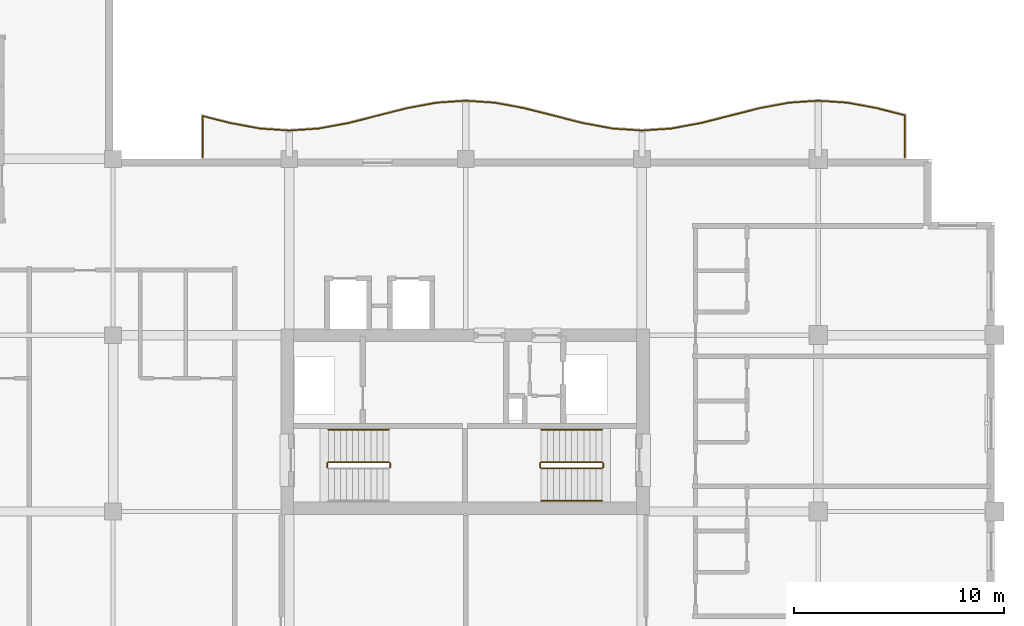
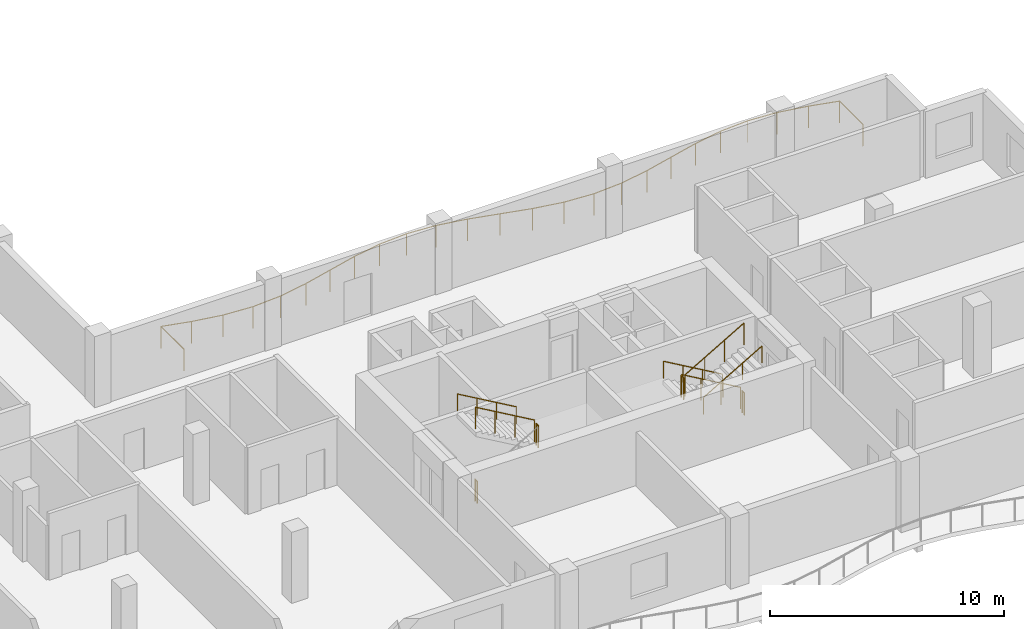
# One storey, part 15 of 17: 11 railings.
"""IFC4 building model written with IfcOpenShell, lengths in metres."""

from ifc_helpers import new_model, si_unit, direction, frame, origin, origin_2d, place, context, subcontext, project, spatial, circle, extrude, material, type_object, element, save


model = new_model("IFC4")

# Units and contexts
model_context = context("Model", 3, precision=1e-05, world=origin(), true_north=direction((0.0, 1.0)))
body_context = subcontext(model_context, "Body", "Model", "MODEL_VIEW")
ifc_project = project(units=[si_unit("LENGTHUNIT", "METRE"), si_unit("AREAUNIT", "SQUARE_METRE"), si_unit("VOLUMEUNIT", "CUBIC_METRE"), si_unit("PLANEANGLEUNIT", "RADIAN"), si_unit("MASSUNIT", "GRAM", prefix="KILO")], contexts=[model_context])

# Site, building, storey
site_placement = place(None, origin())
site = spatial("IfcSite", under=ifc_project, at=site_placement, CompositionType="ELEMENT")
building_placement = place(site_placement, origin())
building = spatial("IfcBuilding", under=site, at=building_placement, Name="Koriwani Terraces Tower", CompositionType="ELEMENT")
storey_placement = place(building_placement, frame((0.0, 0.0, 237.89990234375)))
storey = spatial("IfcBuildingStorey", under=building, at=storey_placement, Name="L58", CompositionType="ELEMENT", Elevation=237.89990234375)

# Railings
ifc_material = material(Name="Steel ASTM A572 Grade 50", Category="steel")
railing_type_1 = type_object("IfcRailingType", Name="GUARD_BALUSTRADE_1150", PredefinedType="BALUSTRADE", material=ifc_material)
railing_1_placement = place(storey_placement, frame((71.320068359375, 33.679931640625, 0.0)))
element("IfcRailing", 1, at=railing_1_placement, inside=storey, type_object=railing_type_1, Name="L58 Balcony Perimeter Safety Balustrade (NE)", PredefinedType="BALUSTRADE", context=body_context, shape_type="SweptSolid", body=[
    extrude(circle(Radius=0.02392578125, at=origin_2d()), frame((0.0, 0.0, 1.1259765625), z_axis=(0.0, 1.0, 0.0), x_axis=(-1.0, 0.0, 0.0)), (0.0, 0.0, 1.0), 1.997802734375),
    extrude(circle(Radius=0.02392578125, at=origin_2d()), frame((0.0, 1.997802734375, 1.1259765625), z_axis=(-0.969314490181, 0.245823959624, 0.0), x_axis=(-0.245823959624, -0.969314490181, 0.0)), (0.0, 0.0, 1.0), 1.37939453125),
    extrude(circle(Radius=0.02392578125, at=origin_2d()), frame((-1.337158203125, 2.3369140625, 1.1259765625), z_axis=(-0.98320420208, 0.182508895706, 0.0), x_axis=(-0.182508895706, -0.98320420208, 0.0)), (0.0, 0.0, 1.0), 1.41650390625),
    extrude(circle(Radius=0.02392578125, at=origin_2d()), frame((-2.72998046875, 2.595458984375, 1.1259765625), z_axis=(-0.997698263815, 0.067809839848, 0.0), x_axis=(-0.067809839848, -0.997698263815, 0.0)), (0.0, 0.0, 1.0), 1.393310546875),
    extrude(circle(Radius=0.02392578125, at=origin_2d()), frame((-4.1201171875, 2.68994140625, 1.1259765625), z_axis=(-0.997697457915, -0.067821696155, 0.0), x_axis=(0.067821696155, -0.997697457915, 0.0)), (0.0, 0.0, 1.0), 1.39306640625),
    extrude(circle(Radius=0.02392578125, at=origin_2d()), frame((-5.510009765625, 2.595458984375, 1.1259765625), z_axis=(-0.98320420208, -0.182508895706, 0.0), x_axis=(0.182508895706, -0.98320420208, 0.0)), (0.0, 0.0, 1.0), 1.41650390625),
    extrude(circle(Radius=0.02392578125, at=origin_2d()), frame((-6.90283203125, 2.3369140625, 1.1259765625), z_axis=(-0.969326714928, -0.245775750895, 0.0), x_axis=(0.245775750895, -0.969326714928, 0.0)), (0.0, 0.0, 1.0), 2.888671875),
    extrude(circle(Radius=0.02392578125, at=origin_2d()), frame((-9.702880859375, 1.626953125, 1.1259765625), z_axis=(-0.983233329212, -0.182351913416, 0.0), x_axis=(0.182351913416, -0.983233329212, 0.0)), (0.0, 0.0, 1.0), 1.43115234375),
    extrude(circle(Radius=0.02392578125, at=origin_2d()), frame((-11.110107421875, 1.365966796875, 1.1259765625), z_axis=(-0.997704165633, -0.067722949425, 0.0), x_axis=(0.067722949425, -0.997704165633, 0.0)), (0.0, 0.0, 1.0), 1.4130859375),
    extrude(circle(Radius=0.02392578125, at=origin_2d()), frame((-12.52001953125, 1.270263671875, 1.1259765625), z_axis=(-0.997704957786, 0.067711278299, 0.0), x_axis=(-0.067711278299, -0.997704957786, 0.0)), (0.0, 0.0, 1.0), 1.413330078125),
    extrude(circle(Radius=0.02392578125, at=origin_2d()), frame((-13.93017578125, 1.365966796875, 1.1259765625), z_axis=(-0.983227655562, 0.182382502828, 0.0), x_axis=(-0.182382502828, -0.983227655562, 0.0)), (0.0, 0.0, 1.0), 1.430908203125),
    extrude(circle(Radius=0.02392578125, at=origin_2d()), frame((-15.337158203125, 1.626953125, 1.1259765625), z_axis=(-0.969326714928, 0.245775750895, 0.0), x_axis=(-0.245775750895, -0.969326714928, 0.0)), (0.0, 0.0, 1.0), 2.888671875),
    extrude(circle(Radius=0.02392578125, at=origin_2d()), frame((-18.13720703125, 2.3369140625, 1.1259765625), z_axis=(-0.98320420208, 0.182508895706, 0.0), x_axis=(-0.182508895706, -0.98320420208, 0.0)), (0.0, 0.0, 1.0), 1.41650390625),
    extrude(circle(Radius=0.02392578125, at=origin_2d()), frame((-19.530029296875, 2.595458984375, 1.1259765625), z_axis=(-0.997698263815, 0.067809839848, 0.0), x_axis=(-0.067809839848, -0.997698263815, 0.0)), (0.0, 0.0, 1.0), 1.393310546875),
    extrude(circle(Radius=0.02392578125, at=origin_2d()), frame((-20.920166015625, 2.68994140625, 1.1259765625), z_axis=(-0.997697457915, -0.067821696155, 0.0), x_axis=(0.067821696155, -0.997697457915, 0.0)), (0.0, 0.0, 1.0), 1.39306640625),
    extrude(circle(Radius=0.02392578125, at=origin_2d()), frame((-22.31005859375, 2.595458984375, 1.1259765625), z_axis=(-0.98320420208, -0.182508895706, 0.0), x_axis=(0.182508895706, -0.98320420208, 0.0)), (0.0, 0.0, 1.0), 1.41650390625),
    extrude(circle(Radius=0.02392578125, at=origin_2d()), frame((-23.702880859375, 2.3369140625, 1.1259765625), z_axis=(-0.969326714928, -0.245775750895, 0.0), x_axis=(0.245775750895, -0.969326714928, 0.0)), (0.0, 0.0, 1.0), 2.888671875),
    extrude(circle(Radius=0.02392578125, at=origin_2d()), frame((-26.5029296875, 1.626953125, 1.1259765625), z_axis=(-0.983233329212, -0.182351913416, 0.0), x_axis=(0.182351913416, -0.983233329212, 0.0)), (0.0, 0.0, 1.0), 1.43115234375),
    extrude(circle(Radius=0.02392578125, at=origin_2d()), frame((-27.91015625, 1.365966796875, 1.1259765625), z_axis=(-0.997704165633, -0.067722949425, 0.0), x_axis=(0.067722949425, -0.997704165633, 0.0)), (0.0, 0.0, 1.0), 1.4130859375),
    extrude(circle(Radius=0.02392578125, at=origin_2d()), frame((-29.320068359375, 1.270263671875, 1.1259765625), z_axis=(-0.997704165633, 0.067722949425, 0.0), x_axis=(-0.067722949425, -0.997704165633, 0.0)), (0.0, 0.0, 1.0), 1.4130859375),
    extrude(circle(Radius=0.02392578125, at=origin_2d()), frame((-30.72998046875, 1.365966796875, 1.1259765625), z_axis=(-0.983233329212, 0.182351913416, 0.0), x_axis=(-0.182351913416, -0.983233329212, 0.0)), (0.0, 0.0, 1.0), 1.43115234375),
    extrude(circle(Radius=0.02392578125, at=origin_2d()), frame((-32.13720703125, 1.626953125, 1.1259765625), z_axis=(-0.969335916043, 0.245739459323, 0.0), x_axis=(-0.245739459323, -0.969335916043, 0.0)), (0.0, 0.0, 1.0), 1.34423828125),
    extrude(circle(Radius=0.02392578125, at=origin_2d()), frame((-33.440185546875, 1.957275390625, 1.1259765625), z_axis=(0.0, -1.0, 0.0), x_axis=(1.0, 0.0, 0.0)), (0.0, 0.0, 1.0), 1.957275390625),
    extrude(circle(Radius=0.02099609375, at=origin_2d()), origin(), (0.0, 0.0, 1.0), 1.101806640625),
    extrude(circle(Radius=0.02099609375, at=origin_2d()), frame((0.0, 1.997802734375, 0.0)), (0.0, 0.0, 1.0), 1.101806640625),
    extrude(circle(Radius=0.02099609375, at=origin_2d()), frame((-1.337158203125, 2.3369140625, 0.0)), (0.0, 0.0, 1.0), 1.101806640625),
    extrude(circle(Radius=0.02099609375, at=origin_2d()), frame((-2.72998046875, 2.595458984375, 0.0)), (0.0, 0.0, 1.0), 1.101806640625),
    extrude(circle(Radius=0.02099609375, at=origin_2d()), frame((-4.1201171875, 2.68994140625, 0.0)), (0.0, 0.0, 1.0), 1.101806640625),
    extrude(circle(Radius=0.02099609375, at=origin_2d()), frame((-5.510009765625, 2.595458984375, 0.0)), (0.0, 0.0, 1.0), 1.101806640625),
    extrude(circle(Radius=0.02099609375, at=origin_2d()), frame((-6.90283203125, 2.3369140625, 0.0)), (0.0, 0.0, 1.0), 1.101806640625),
    extrude(circle(Radius=0.02099609375, at=origin_2d()), frame((-8.302734375, 1.98193359375, 0.0)), (0.0, 0.0, 1.0), 1.101806640625),
    extrude(circle(Radius=0.02099609375, at=origin_2d()), frame((-9.702880859375, 1.626953125, 0.0)), (0.0, 0.0, 1.0), 1.101806640625),
    extrude(circle(Radius=0.02099609375, at=origin_2d()), frame((-11.110107421875, 1.365966796875, 0.0)), (0.0, 0.0, 1.0), 1.101806640625),
    extrude(circle(Radius=0.02099609375, at=origin_2d()), frame((-12.52001953125, 1.270263671875, 0.0)), (0.0, 0.0, 1.0), 1.101806640625),
    extrude(circle(Radius=0.02099609375, at=origin_2d()), frame((-13.93017578125, 1.365966796875, 0.0)), (0.0, 0.0, 1.0), 1.101806640625),
    extrude(circle(Radius=0.02099609375, at=origin_2d()), frame((-15.337158203125, 1.626953125, 0.0)), (0.0, 0.0, 1.0), 1.101806640625),
    extrude(circle(Radius=0.02099609375, at=origin_2d()), frame((-16.7373046875, 1.98193359375, 0.0)), (0.0, 0.0, 1.0), 1.101806640625),
    extrude(circle(Radius=0.02099609375, at=origin_2d()), frame((-18.13720703125, 2.3369140625, 0.0)), (0.0, 0.0, 1.0), 1.101806640625),
    extrude(circle(Radius=0.02099609375, at=origin_2d()), frame((-19.530029296875, 2.595458984375, 0.0)), (0.0, 0.0, 1.0), 1.101806640625),
    extrude(circle(Radius=0.02099609375, at=origin_2d()), frame((-20.920166015625, 2.68994140625, 0.0)), (0.0, 0.0, 1.0), 1.101806640625),
    extrude(circle(Radius=0.02099609375, at=origin_2d()), frame((-22.31005859375, 2.595458984375, 0.0)), (0.0, 0.0, 1.0), 1.101806640625),
    extrude(circle(Radius=0.02099609375, at=origin_2d()), frame((-23.702880859375, 2.3369140625, 0.0)), (0.0, 0.0, 1.0), 1.101806640625),
    extrude(circle(Radius=0.02099609375, at=origin_2d()), frame((-25.10302734375, 1.98193359375, 0.0)), (0.0, 0.0, 1.0), 1.101806640625),
    extrude(circle(Radius=0.02099609375, at=origin_2d()), frame((-26.5029296875, 1.626953125, 0.0)), (0.0, 0.0, 1.0), 1.101806640625),
    extrude(circle(Radius=0.02099609375, at=origin_2d()), frame((-27.91015625, 1.365966796875, 0.0)), (0.0, 0.0, 1.0), 1.101806640625),
    extrude(circle(Radius=0.02099609375, at=origin_2d()), frame((-29.320068359375, 1.270263671875, 0.0)), (0.0, 0.0, 1.0), 1.101806640625),
    extrude(circle(Radius=0.02099609375, at=origin_2d()), frame((-30.72998046875, 1.365966796875, 0.0)), (0.0, 0.0, 1.0), 1.101806640625),
    extrude(circle(Radius=0.02099609375, at=origin_2d()), frame((-32.13720703125, 1.626953125, 0.0)), (0.0, 0.0, 1.0), 1.101806640625),
    extrude(circle(Radius=0.02099609375, at=origin_2d()), frame((-33.440185546875, 1.957275390625, 0.0)), (0.0, 0.0, 1.0), 1.101806640625),
    extrude(circle(Radius=0.02099609375, at=origin_2d()), frame((-33.440185546875, 0.0, 0.0)), (0.0, 0.0, 1.0), 1.101806640625),
])
railing_type_2 = type_object("IfcRailingType", Name="GUARD_STAIR_WELL_1120", PredefinedType="GUARDRAIL", material=ifc_material)
railing_2_placement = place(storey_placement, frame((46.800048828125, 18.89990234375, 1.85009765625)))
element("IfcRailing", 2, at=railing_2_placement, inside=storey, type_object=railing_type_2, Name="L58 ST-E1 stair guard 2", PredefinedType="GUARDRAIL", context=body_context, shape_type="SweptSolid", body=[
    extrude(circle(Radius=0.02392578125, at=origin_2d()), frame((0.0, 0.0, 1.1259765625), z_axis=(0.0, 1.0, 0.0), x_axis=(-1.0, 0.0, 0.0)), (0.0, 0.0, 1.0), 0.2001953125),
    extrude(circle(Radius=0.02099609375, at=origin_2d()), origin(), (0.0, 0.0, 1.0), 1.101806640625),
    extrude(circle(Radius=0.02099609375, at=origin_2d()), frame((0.0, 0.2001953125, 0.0)), (0.0, 0.0, 1.0), 1.101806640625),
])
railing_3_placement = place(storey_placement, frame((46.75, 19.14990234375, 2.018310546875)))
element("IfcRailing", 3, at=railing_3_placement, inside=storey, type_object=railing_type_2, Name="L58 ST-E1 stair guard 3", PredefinedType="GUARDRAIL", context=body_context, shape_type="SweptSolid", body=[
    extrude(circle(Radius=0.02392578125, at=origin_2d()), frame((0.0, 0.0, 1.1259765625), z_axis=(-0.865038774852, 0.0, 0.501705010941), x_axis=(0.0, -1.0, 0.0)), (0.0, 0.0, 1.0), 3.352294921875),
    extrude(circle(Radius=0.02099609375, at=origin_2d()), origin(), (0.0, 0.0, 1.0), 1.101806640625),
    extrude(circle(Radius=0.02099609375, at=origin_2d()), frame((-0.966552734375, 0.0, 0.560546875)), (0.0, 0.0, 1.0), 1.101806640625),
    extrude(circle(Radius=0.02099609375, at=origin_2d()), frame((-1.933349609375, 0.0, 1.121337890625)), (0.0, 0.0, 1.0), 1.101806640625),
    extrude(circle(Radius=0.02099609375, at=origin_2d()), frame((-2.89990234375, 0.0, 1.681884765625)), (0.0, 0.0, 1.0), 1.101806640625),
])
railing_4_placement = place(storey_placement, frame((43.800048828125, 18.89990234375, 0.0)))
element("IfcRailing", 4, at=railing_4_placement, inside=storey, type_object=railing_type_2, Name="L58 ST-E1 stair guard 4", PredefinedType="GUARDRAIL", context=body_context, shape_type="SweptSolid", body=[
    extrude(circle(Radius=0.02392578125, at=origin_2d()), frame((0.0, 0.0, 1.1259765625), z_axis=(0.0, 1.0, 0.0), x_axis=(-1.0, 0.0, 0.0)), (0.0, 0.0, 1.0), 0.2001953125),
    extrude(circle(Radius=0.02099609375, at=origin_2d()), origin(), (0.0, 0.0, 1.0), 1.101806640625),
    extrude(circle(Radius=0.02099609375, at=origin_2d()), frame((0.0, 0.2001953125, 0.0)), (0.0, 0.0, 1.0), 1.101806640625),
])
railing_5_placement = place(storey_placement, frame((56.89990234375, 19.14990234375, 0.168212890625)))
element("IfcRailing", 5, at=railing_5_placement, inside=storey, type_object=railing_type_2, Name="L58 ST-E2 stair guard 1", PredefinedType="GUARDRAIL", context=body_context, shape_type="SweptSolid", body=[
    extrude(circle(Radius=0.02392578125, at=origin_2d()), frame((0.0, 0.0, 1.1259765625), z_axis=(-0.865038774852, 0.0, 0.501705010941), x_axis=(0.0, -1.0, 0.0)), (0.0, 0.0, 1.0), 3.352294921875),
    extrude(circle(Radius=0.02099609375, at=origin_2d()), origin(), (0.0, 0.0, 1.0), 1.101806640625),
    extrude(circle(Radius=0.02099609375, at=origin_2d()), frame((-0.966552734375, 0.0, 0.560546875)), (0.0, 0.0, 1.0), 1.101806640625),
    extrude(circle(Radius=0.02099609375, at=origin_2d()), frame((-1.933349609375, 0.0, 1.121337890625)), (0.0, 0.0, 1.0), 1.101806640625),
    extrude(circle(Radius=0.02099609375, at=origin_2d()), frame((-2.89990234375, 0.0, 1.681884765625)), (0.0, 0.0, 1.0), 1.101806640625),
])
railing_6_placement = place(storey_placement, frame((53.949951171875, 19.10009765625, 1.85009765625)))
element("IfcRailing", 6, at=railing_6_placement, inside=storey, type_object=railing_type_2, Name="L58 ST-E2 stair guard 2", PredefinedType="GUARDRAIL", context=body_context, shape_type="SweptSolid", body=[
    extrude(circle(Radius=0.02392578125, at=origin_2d()), frame((0.0, 0.0, 1.1259765625), z_axis=(0.0, -1.0, 0.0), x_axis=(1.0, 0.0, 0.0)), (0.0, 0.0, 1.0), 0.2001953125),
    extrude(circle(Radius=0.02099609375, at=origin_2d()), origin(), (0.0, 0.0, 1.0), 1.101806640625),
    extrude(circle(Radius=0.02099609375, at=origin_2d()), frame((0.0, -0.2001953125, 0.0)), (0.0, 0.0, 1.0), 1.101806640625),
])
railing_7_placement = place(storey_placement, frame((54.0, 18.85009765625, 2.018310546875)))
element("IfcRailing", 7, at=railing_7_placement, inside=storey, type_object=railing_type_2, Name="L58 ST-E2 stair guard 3", PredefinedType="GUARDRAIL", context=body_context, shape_type="SweptSolid", body=[
    extrude(circle(Radius=0.02392578125, at=origin_2d()), frame((0.0, 0.0, 1.1259765625), z_axis=(0.865038774852, 0.0, 0.501705010941), x_axis=(0.0, 1.0, 0.0)), (0.0, 0.0, 1.0), 3.352294921875),
    extrude(circle(Radius=0.02099609375, at=origin_2d()), origin(), (0.0, 0.0, 1.0), 1.101806640625),
    extrude(circle(Radius=0.02099609375, at=origin_2d()), frame((0.966552734375, 0.0, 0.560546875)), (0.0, 0.0, 1.0), 1.101806640625),
    extrude(circle(Radius=0.02099609375, at=origin_2d()), frame((1.933349609375, 0.0, 1.121337890625)), (0.0, 0.0, 1.0), 1.101806640625),
    extrude(circle(Radius=0.02099609375, at=origin_2d()), frame((2.89990234375, 0.0, 1.681884765625)), (0.0, 0.0, 1.0), 1.101806640625),
])
railing_8_placement = place(storey_placement, frame((56.949951171875, 19.10009765625, 0.0)))
element("IfcRailing", 8, at=railing_8_placement, inside=storey, type_object=railing_type_2, Name="L58 ST-E2 stair guard 4", PredefinedType="GUARDRAIL", context=body_context, shape_type="SweptSolid", body=[
    extrude(circle(Radius=0.02392578125, at=origin_2d()), frame((0.0, 0.0, 1.1259765625), z_axis=(0.0, -1.0, 0.0), x_axis=(1.0, 0.0, 0.0)), (0.0, 0.0, 1.0), 0.2001953125),
    extrude(circle(Radius=0.02099609375, at=origin_2d()), origin(), (0.0, 0.0, 1.0), 1.101806640625),
    extrude(circle(Radius=0.02099609375, at=origin_2d()), frame((0.0, -0.2001953125, 0.0)), (0.0, 0.0, 1.0), 1.101806640625),
])
railing_type_3 = type_object("IfcRailingType", Name="HANDRAIL_STAIR_920", PredefinedType="HANDRAIL", material=ifc_material)
for number, where, name in (
    (9, (46.75, 20.699951171875, 2.018310546875), "L58 ST-E1 stair handrail 2"),
    (10, (56.89990234375, 20.699951171875, 0.168212890625), "L58 ST-E2 stair handrail 1"),
):
    element("IfcRailing", number, at=place(storey_placement, frame(where)), inside=storey, type_object=railing_type_3, Name=name, PredefinedType="HANDRAIL", context=body_context, shape_type="SweptSolid", body=[
        extrude(circle(Radius=0.02392578125, at=origin_2d()), frame((0.0, 0.0, 0.8759765625), z_axis=(-0.865038774852, 0.0, 0.501705010941), x_axis=(0.0, -1.0, 0.0)), (0.0, 0.0, 1.0), 3.352294921875),
        extrude(circle(Radius=0.02099609375, at=origin_2d()), origin(), (0.0, 0.0, 1.0), 0.851806640625),
        extrude(circle(Radius=0.02099609375, at=origin_2d()), frame((-0.966552734375, 0.0, 0.560546875)), (0.0, 0.0, 1.0), 0.851806640625),
        extrude(circle(Radius=0.02099609375, at=origin_2d()), frame((-1.933349609375, 0.0, 1.121337890625)), (0.0, 0.0, 1.0), 0.851806640625),
        extrude(circle(Radius=0.02099609375, at=origin_2d()), frame((-2.89990234375, 0.0, 1.681884765625)), (0.0, 0.0, 1.0), 0.851806640625),
    ])
railing_9_placement = place(storey_placement, frame((54.0, 17.300048828125, 2.018310546875)))
element("IfcRailing", 11, at=railing_9_placement, inside=storey, type_object=railing_type_3, Name="L58 ST-E2 stair handrail 2", PredefinedType="HANDRAIL", context=body_context, shape_type="SweptSolid", body=[
    extrude(circle(Radius=0.02392578125, at=origin_2d()), frame((0.0, 0.0, 0.8759765625), z_axis=(0.865038774852, 0.0, 0.501705010941), x_axis=(0.0, 1.0, 0.0)), (0.0, 0.0, 1.0), 3.352294921875),
    extrude(circle(Radius=0.02099609375, at=origin_2d()), origin(), (0.0, 0.0, 1.0), 0.851806640625),
    extrude(circle(Radius=0.02099609375, at=origin_2d()), frame((0.966552734375, 0.0, 0.560546875)), (0.0, 0.0, 1.0), 0.851806640625),
    extrude(circle(Radius=0.02099609375, at=origin_2d()), frame((1.933349609375, 0.0, 1.121337890625)), (0.0, 0.0, 1.0), 0.851806640625),
    extrude(circle(Radius=0.02099609375, at=origin_2d()), frame((2.89990234375, 0.0, 1.681884765625)), (0.0, 0.0, 1.0), 0.851806640625),
])

save(model, "model.ifc")
